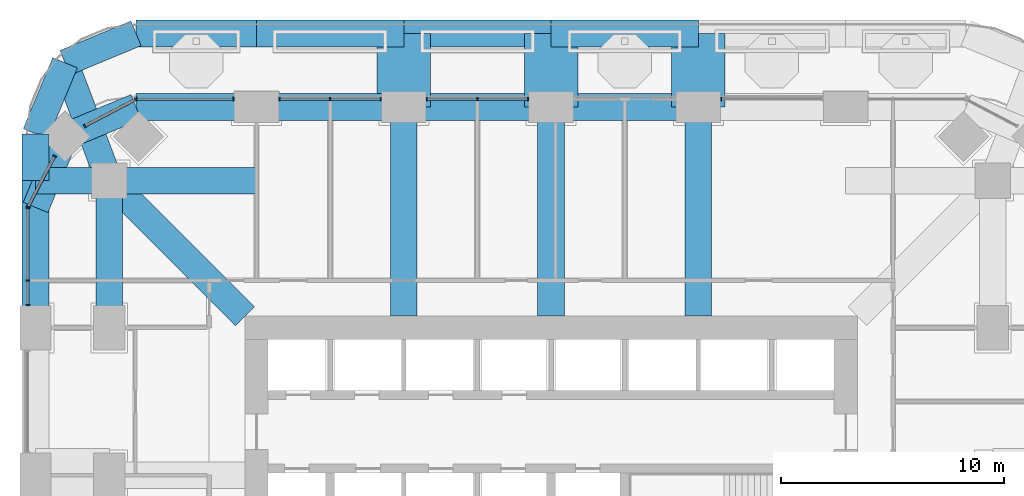
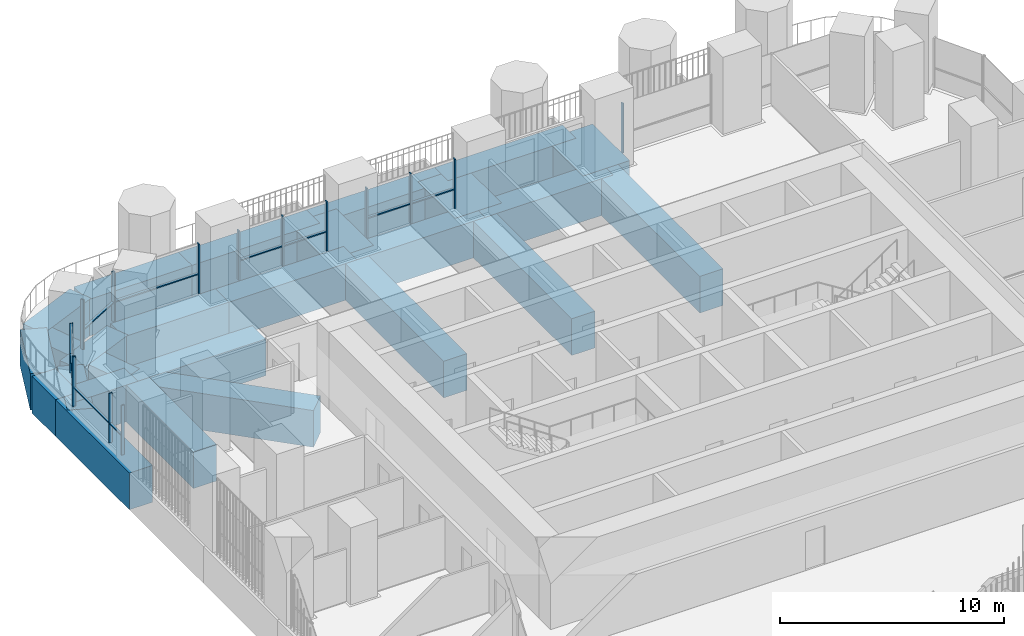
# One storey, part 6 of 22: 25 beams, 25 members, 7 elements without a shape of their own.
"""IFC4 building model written with IfcOpenShell, lengths in metres."""

from ifc_helpers import new_model, si_unit, direction, frame, origin, origin_2d, place, context, subcontext, project, spatial, rectangle, extrude, material, material_profile, profile_set, type_object, element, aggregate, save


model = new_model("IFC4")

# Units and contexts
model_context = context("Model", 3, precision=1e-05, world=origin(), true_north=direction((0.0, 1.0)))
body_context = subcontext(model_context, "Body", "Model", "MODEL_VIEW")
ifc_project = project(units=[si_unit("LENGTHUNIT", "METRE"), si_unit("AREAUNIT", "SQUARE_METRE"), si_unit("VOLUMEUNIT", "CUBIC_METRE"), si_unit("PLANEANGLEUNIT", "RADIAN"), si_unit("MASSUNIT", "GRAM", prefix="KILO")], contexts=[model_context])

# Site, building, storey
site_placement = place(None, origin())
site = spatial("IfcSite", under=ifc_project, at=site_placement, CompositionType="ELEMENT")
building_placement = place(site_placement, origin())
building = spatial("IfcBuilding", under=site, at=building_placement, Name="Cobogo Forest Laboratory Tower", CompositionType="ELEMENT")
storey_placement = place(building_placement, frame((0.0, 0.0, 155.699951171875)))
storey = spatial("IfcBuildingStorey", under=building, at=storey_placement, Name="L35", CompositionType="ELEMENT", Elevation=155.699951171875)

# Curtain wall, member
ifc_material_1 = material(Name="Aluminium curtain wall", Category="aluminium")
curtain_wall_type = type_object("IfcCurtainWallType", Name="CW-2 unitised curtain wall, solar control glazing, laboratory floors zones C and D", PredefinedType="USERDEFINED", material=ifc_material_1)
curtain_wall_1_placement = place(storey_placement, origin())
curtain_wall_1 = element("IfcCurtainWall", 1, at=curtain_wall_1_placement, inside=storey, type_object=curtain_wall_type, Name="Curtain wall 17 L35", ObjectType="UNITISED CURTAIN WALL", PredefinedType="USERDEFINED")
ifc_material_2 = material(Name="Aluminium mullion", Category="aluminium")
ifc_material_profile_1 = material_profile(ifc_material_2, rectangle(XDim=0.06005859375, YDim=0.159912109375, at=origin_2d()), Name="AL 60x160")
ifc_profile_set_1 = profile_set([ifc_material_profile_1], Name="Aluminium mullion")
member_type_1 = type_object("IfcMemberType", Name="MU-1 aluminium mullion 60x160", PredefinedType="MULLION", material=ifc_profile_set_1)
member_1_placement = place(storey_placement, frame((34.030029296875, 43.25, 0.0), z_axis=(0.0, 0.0, 1.0), x_axis=(-1.0, 0.0, 0.0)))
member_1 = element("IfcMember", 2, at=member_1_placement, type_object=member_type_1, Name="CW-2 mullion 2", PredefinedType="MULLION", context=body_context, shape_type="SweptSolid", body=[
    extrude(rectangle(XDim=0.06005859375, YDim=0.159912109375, at=origin_2d()), origin(), (0.0, 0.0, 1.0), 2.699951171875),
])
aggregate(curtain_wall_1, [member_1])

# Curtain wall, members
curtain_wall_2_placement = place(storey_placement, origin())
curtain_wall_2 = element("IfcCurtainWall", 3, at=curtain_wall_2_placement, inside=storey, type_object=curtain_wall_type, Name="Curtain wall 19 L35", ObjectType="UNITISED CURTAIN WALL", PredefinedType="USERDEFINED")
member_2_placement = place(storey_placement, frame((25.3701171875, 43.25, 0.0), z_axis=(0.0, 0.0, 1.0), x_axis=(-1.0, 0.0, 0.0)))
member_2 = element("IfcMember", 4, at=member_2_placement, type_object=member_type_1, Name="CW-2 mullion 1", PredefinedType="MULLION", context=body_context, shape_type="SweptSolid", body=[
    extrude(rectangle(XDim=0.06005859375, YDim=0.159912109375, at=origin_2d()), origin(), (0.0, 0.0, 1.0), 2.699951171875),
])
member_3_placement = place(storey_placement, frame((23.10009765625, 43.25, 0.0), z_axis=(0.0, 0.0, 1.0), x_axis=(-1.0, 0.0, 0.0)))
member_3 = element("IfcMember", 5, at=member_3_placement, type_object=member_type_1, Name="CW-2 mullion 2", PredefinedType="MULLION", context=body_context, shape_type="SweptSolid", body=[
    extrude(rectangle(XDim=0.06005859375, YDim=0.159912109375, at=origin_2d()), origin(), (0.0, 0.0, 1.0), 2.699951171875),
])
member_4_placement = place(storey_placement, frame((20.830078125, 43.25, 0.0), z_axis=(0.0, 0.0, 1.0), x_axis=(-1.0, 0.0, 0.0)))
member_4 = element("IfcMember", 6, at=member_4_placement, type_object=member_type_1, Name="CW-2 mullion 3", PredefinedType="MULLION", context=body_context, shape_type="SweptSolid", body=[
    extrude(rectangle(XDim=0.06005859375, YDim=0.159912109375, at=origin_2d()), origin(), (0.0, 0.0, 1.0), 2.699951171875),
])

curtain_wall_3_placement = place(storey_placement, origin())
curtain_wall_3 = element("IfcCurtainWall", 7, at=curtain_wall_3_placement, inside=storey, type_object=curtain_wall_type, Name="Curtain wall 20 L35", ObjectType="UNITISED CURTAIN WALL", PredefinedType="USERDEFINED")
member_5_placement = place(storey_placement, frame((18.77001953125, 43.25, 0.0), z_axis=(0.0, 0.0, 1.0), x_axis=(-1.0, 0.0, 0.0)))
member_5 = element("IfcMember", 8, at=member_5_placement, type_object=member_type_1, Name="CW-2 mullion 1", PredefinedType="MULLION", context=body_context, shape_type="SweptSolid", body=[
    extrude(rectangle(XDim=0.06005859375, YDim=0.159912109375, at=origin_2d()), origin(), (0.0, 0.0, 1.0), 2.699951171875),
])
member_6_placement = place(storey_placement, frame((16.5, 43.25, 0.0), z_axis=(0.0, 0.0, 1.0), x_axis=(-1.0, 0.0, 0.0)))
member_6 = element("IfcMember", 9, at=member_6_placement, type_object=member_type_1, Name="CW-2 mullion 2", PredefinedType="MULLION", context=body_context, shape_type="SweptSolid", body=[
    extrude(rectangle(XDim=0.06005859375, YDim=0.159912109375, at=origin_2d()), origin(), (0.0, 0.0, 1.0), 2.699951171875),
])
member_7_placement = place(storey_placement, frame((14.22998046875, 43.25, 0.0), z_axis=(0.0, 0.0, 1.0), x_axis=(-1.0, 0.0, 0.0)))
member_7 = element("IfcMember", 10, at=member_7_placement, type_object=member_type_1, Name="CW-2 mullion 3", PredefinedType="MULLION", context=body_context, shape_type="SweptSolid", body=[
    extrude(rectangle(XDim=0.06005859375, YDim=0.159912109375, at=origin_2d()), origin(), (0.0, 0.0, 1.0), 2.699951171875),
])

curtain_wall_4_placement = place(storey_placement, origin())
curtain_wall_4 = element("IfcCurtainWall", 11, at=curtain_wall_4_placement, inside=storey, type_object=curtain_wall_type, Name="Curtain wall 21 L35", ObjectType="UNITISED CURTAIN WALL", PredefinedType="USERDEFINED")
member_8_placement = place(storey_placement, frame((12.169921875, 43.25, 0.0), z_axis=(0.0, 0.0, 1.0), x_axis=(-1.0, 0.0, 0.0)))
member_8 = element("IfcMember", 12, at=member_8_placement, type_object=member_type_1, Name="CW-2 mullion 1", PredefinedType="MULLION", context=body_context, shape_type="SweptSolid", body=[
    extrude(rectangle(XDim=0.06005859375, YDim=0.159912109375, at=origin_2d()), origin(), (0.0, 0.0, 1.0), 2.699951171875),
])
member_9_placement = place(storey_placement, frame((7.830078125, 43.25, 0.0), z_axis=(0.0, 0.0, 1.0), x_axis=(-1.0, 0.0, 0.0)))
member_9 = element("IfcMember", 13, at=member_9_placement, type_object=member_type_1, Name="CW-2 mullion 2", PredefinedType="MULLION", context=body_context, shape_type="SweptSolid", body=[
    extrude(rectangle(XDim=0.06005859375, YDim=0.159912109375, at=origin_2d()), origin(), (0.0, 0.0, 1.0), 2.699951171875),
])

curtain_wall_5_placement = place(storey_placement, origin())
curtain_wall_5 = element("IfcCurtainWall", 14, at=curtain_wall_5_placement, inside=storey, type_object=curtain_wall_type, Name="Curtain wall 22 L35", ObjectType="UNITISED CURTAIN WALL", PredefinedType="USERDEFINED")
member_10_placement = place(storey_placement, frame((7.7734375, 43.236083984375, 0.0), z_axis=(0.0, 0.0, 1.0), x_axis=(-0.885686527085, -0.464283723321, 0.0)))
member_10 = element("IfcMember", 15, at=member_10_placement, type_object=member_type_1, Name="CW-2 mullion 1", PredefinedType="MULLION", context=body_context, shape_type="SweptSolid", body=[
    extrude(rectangle(XDim=0.06005859375, YDim=0.159912109375, at=origin_2d()), origin(), (0.0, 0.0, 1.0), 2.699951171875),
])
member_11_placement = place(storey_placement, frame((5.507568359375, 42.04833984375, 0.0), z_axis=(0.0, 0.0, 1.0), x_axis=(-0.885686527085, -0.464283723321, 0.0)))
member_11 = element("IfcMember", 16, at=member_11_placement, type_object=member_type_1, Name="CW-2 mullion 2", PredefinedType="MULLION", context=body_context, shape_type="SweptSolid", body=[
    extrude(rectangle(XDim=0.06005859375, YDim=0.159912109375, at=origin_2d()), origin(), (0.0, 0.0, 1.0), 2.699951171875),
])

curtain_wall_6_placement = place(storey_placement, origin())
curtain_wall_6 = element("IfcCurtainWall", 17, at=curtain_wall_6_placement, inside=storey, type_object=curtain_wall_type, Name="Curtain wall 23 L35", ObjectType="UNITISED CURTAIN WALL", PredefinedType="USERDEFINED")
member_12_placement = place(storey_placement, frame((4.15185546875, 40.692626953125, 0.0), z_axis=(0.0, 0.0, 1.0), x_axis=(-0.464283723321, -0.885686527085, 0.0)))
member_12 = element("IfcMember", 18, at=member_12_placement, type_object=member_type_1, Name="CW-2 mullion 1", PredefinedType="MULLION", context=body_context, shape_type="SweptSolid", body=[
    extrude(rectangle(XDim=0.06005859375, YDim=0.159912109375, at=origin_2d()), origin(), (0.0, 0.0, 1.0), 2.699951171875),
])
member_13_placement = place(storey_placement, frame((2.9638671875, 38.426513671875, 0.0), z_axis=(0.0, 0.0, 1.0), x_axis=(-0.464283723321, -0.885686527085, 0.0)))
member_13 = element("IfcMember", 19, at=member_13_placement, type_object=member_type_1, Name="CW-2 mullion 2", PredefinedType="MULLION", context=body_context, shape_type="SweptSolid", body=[
    extrude(rectangle(XDim=0.06005859375, YDim=0.159912109375, at=origin_2d()), origin(), (0.0, 0.0, 1.0), 2.699951171875),
])

curtain_wall_7_placement = place(storey_placement, origin())
curtain_wall_7 = element("IfcCurtainWall", 20, at=curtain_wall_7_placement, inside=storey, type_object=curtain_wall_type, Name="Curtain wall 24 L35", ObjectType="UNITISED CURTAIN WALL", PredefinedType="USERDEFINED")
member_14_placement = place(storey_placement, frame((2.949951171875, 38.3701171875, 0.0), z_axis=(0.0, 0.0, 1.0), x_axis=(0.0, -1.0, 0.0)))
member_14 = element("IfcMember", 21, at=member_14_placement, type_object=member_type_1, Name="CW-2 mullion 1", PredefinedType="MULLION", context=body_context, shape_type="SweptSolid", body=[
    extrude(rectangle(XDim=0.06005859375, YDim=0.159912109375, at=origin_2d()), origin(), (0.0, 0.0, 1.0), 2.699951171875),
])
member_15_placement = place(storey_placement, frame((2.949951171875, 35.125, 0.0), z_axis=(0.0, 0.0, 1.0), x_axis=(0.0, -1.0, 0.0)))
member_15 = element("IfcMember", 22, at=member_15_placement, type_object=member_type_1, Name="CW-2 mullion 2", PredefinedType="MULLION", context=body_context, shape_type="SweptSolid", body=[
    extrude(rectangle(XDim=0.06005859375, YDim=0.159912109375, at=origin_2d()), origin(), (0.0, 0.0, 1.0), 2.699951171875),
])
member_16_placement = place(storey_placement, frame((2.949951171875, 34.030029296875, 0.0), z_axis=(0.0, 0.0, 1.0), x_axis=(0.0, -1.0, 0.0)))
member_16 = element("IfcMember", 23, at=member_16_placement, type_object=member_type_1, Name="CW-2 mullion 3", PredefinedType="MULLION", context=body_context, shape_type="SweptSolid", body=[
    extrude(rectangle(XDim=0.06005859375, YDim=0.159912109375, at=origin_2d()), origin(), (0.0, 0.0, 1.0), 2.699951171875),
])

# Beams
ifc_material_3 = material(Name="Concrete HA-50 (C50/60)", Category="concrete")
ifc_material_profile_2 = material_profile(ifc_material_3, rectangle(XDim=2.39990234375, YDim=2.0, at=origin_2d()), Name="RC 2400x2000")
ifc_profile_set_2 = profile_set([ifc_material_profile_2], Name="Concrete HA-50 (C50/60)")
beam_type_1 = type_object("IfcBeamType", Name="Setback floor end-bay girder 2400x2000", PredefinedType="BEAM", material=ifc_profile_set_2)
for number, where, z_axis, x_axis, name in (
    (24, (19.800048828125, 46.199951171875, -1.300048828125), (0.0, -1.0, 0.0), (1.0, 0.0, 0.0), "TG3 R-4-N-X L35"),
    (25, (26.39990234375, 46.199951171875, -1.300048828125), (0.0, -1.0, 0.0), (1.0, 0.0, 0.0), "TG3 R-5-N-X L35"),
    (26, (33.0, 46.199951171875, -1.300048828125), (0.0, -1.0, 0.0), (1.0, 0.0, 0.0), "TG3 R-6-N-X L35"),
):
    element("IfcBeam", number, at=place(storey_placement, frame(where, z_axis=z_axis, x_axis=x_axis)), inside=storey, type_object=beam_type_1, Name=name, PredefinedType="BEAM", context=body_context, shape_type="SweptSolid", body=[
        extrude(rectangle(XDim=2.39990234375, YDim=2.0, at=origin_2d()), origin(), (0.0, 0.0, 1.0), 3.300048828125),
    ])
ifc_material_4 = material(Name="Concrete HA-40 (C40/50)", Category="concrete")
ifc_material_profile_3 = material_profile(ifc_material_4, rectangle(XDim=1.199951171875, YDim=2.0, at=origin_2d()), Name="RC 1200x2000")
ifc_profile_set_3 = profile_set([ifc_material_profile_3], Name="Concrete HA-40 (C40/50)")
beam_type_2 = type_object("IfcBeamType", Name="Setback floor girder 1200x2000", PredefinedType="BEAM", material=ifc_profile_set_3)
for number, where, z_axis, x_axis, name in (
    (27, (19.800048828125, 33.52490234375, -1.300048828125), (0.0, 1.0, 0.0), (-1.0, 0.0, 0.0), "TG2 R-4-N L35"),
    (28, (26.39990234375, 33.52490234375, -1.300048828125), (0.0, 1.0, 0.0), (-1.0, 0.0, 0.0), "TG2 R-5-N L35"),
    (29, (33.0, 33.52490234375, -1.300048828125), (0.0, 1.0, 0.0), (-1.0, 0.0, 0.0), "TG2 R-6-N L35"),
):
    element("IfcBeam", number, at=place(storey_placement, frame(where, z_axis=z_axis, x_axis=x_axis)), inside=storey, type_object=beam_type_2, Name=name, PredefinedType="BEAM", context=body_context, shape_type="SweptSolid", body=[
        extrude(rectangle(XDim=1.199951171875, YDim=2.0, at=origin_2d()), origin(), (0.0, 0.0, 1.0), 9.375),
    ])
beam_1_placement = place(storey_placement, frame((6.60009765625, 39.60009765625, -1.300048828125), z_axis=(0.0, -1.0, 0.0), x_axis=(1.0, 0.0, 0.0)))
element("IfcBeam", 30, at=beam_1_placement, inside=storey, type_object=beam_type_2, Name="TG2 G-NW-XC L35", PredefinedType="BEAM", context=body_context, shape_type="SweptSolid", body=[
    extrude(rectangle(XDim=1.199951171875, YDim=2.0, at=origin_2d()), origin(), (0.0, 0.0, 1.0), 6.60009765625),
])
beam_2_placement = place(storey_placement, frame((3.300048828125, 39.60009765625, -1.300048828125), z_axis=(1.0, 0.0, 0.0), x_axis=(0.0, 1.0, 0.0)))
element("IfcBeam", 31, at=beam_2_placement, inside=storey, type_object=beam_type_2, Name="TG2 G-NW-YF L35", PredefinedType="BEAM", context=body_context, shape_type="SweptSolid", body=[
    extrude(rectangle(XDim=1.199951171875, YDim=2.0, at=origin_2d()), origin(), (0.0, 0.0, 1.0), 3.300048828125),
])
beam_3_placement = place(storey_placement, frame((6.60009765625, 39.60009765625, -1.300048828125), z_axis=(1.0, 0.0, 0.0), x_axis=(0.0, 1.0, 0.0)))
element("IfcBeam", 32, at=beam_3_placement, inside=storey, type_object=beam_type_2, Name="TG2 G-NW-YC L35", PredefinedType="BEAM", context=body_context, shape_type="SweptSolid", body=[
    extrude(rectangle(XDim=1.199951171875, YDim=2.0, at=origin_2d()), origin(), (0.0, 0.0, 1.0), 6.599853515625),
])
beam_4_placement = place(storey_placement, frame((4.617919921875, 44.882080078125, -1.300048828125), z_axis=(0.351346325373, -0.936245565889, 0.0), x_axis=(0.936245565889, 0.351346325373, 0.0)))
element("IfcBeam", 33, at=beam_4_placement, inside=storey, type_object=beam_type_2, Name="TG2 G-NW-D1 L35", PredefinedType="BEAM", context=body_context, shape_type="SweptSolid", body=[
    extrude(rectangle(XDim=1.199951171875, YDim=2.0, at=origin_2d()), origin(), (0.0, 0.0, 1.0), 5.6416015625),
])
beam_5_placement = place(storey_placement, frame((6.60009765625, 39.60009765625, -1.300048828125), z_axis=(0.707092572697, -0.70712098939, 0.0), x_axis=(0.70712098939, 0.707092572697, 0.0)))
element("IfcBeam", 34, at=beam_5_placement, inside=storey, type_object=beam_type_2, Name="TG2 G-NW-D2 L35", PredefinedType="BEAM", context=body_context, shape_type="SweptSolid", body=[
    extrude(rectangle(XDim=1.199951171875, YDim=2.0, at=origin_2d()), origin(), (0.0, 0.0, 1.0), 8.591552734375),
])
beam_6_placement = place(storey_placement, frame((13.199951171875, 46.199951171875, -1.300048828125), z_axis=(1.0, 0.0, 0.0), x_axis=(0.0, 1.0, 0.0)))
element("IfcBeam", 35, at=beam_6_placement, inside=storey, type_object=beam_type_2, Name="TG2 E-N1 L35", PredefinedType="BEAM", context=body_context, shape_type="SweptSolid", body=[
    extrude(rectangle(XDim=1.199951171875, YDim=2.0, at=origin_2d()), origin(), (0.0, 0.0, 1.0), 6.60009765625),
])
beam_7_placement = place(storey_placement, frame((19.800048828125, 46.199951171875, -1.300048828125), z_axis=(1.0, 0.0, 0.0), x_axis=(0.0, 1.0, 0.0)))
element("IfcBeam", 36, at=beam_7_placement, inside=storey, type_object=beam_type_2, Name="TG2 E-N2 L35", PredefinedType="BEAM", context=body_context, shape_type="SweptSolid", body=[
    extrude(rectangle(XDim=1.199951171875, YDim=2.0, at=origin_2d()), origin(), (0.0, 0.0, 1.0), 6.599853515625),
])
for number, where, z_axis, x_axis, name in (
    (37, (26.39990234375, 46.199951171875, -1.300048828125), (1.0, 0.0, 0.0), (0.0, 1.0, 0.0), "TG2 E-N3 L35"),
    (38, (3.300048828125, 33.0, -1.300048828125), (0.0, 1.0, 0.0), (-1.0, 0.0, 0.0), "TG2 E-W5 L35"),
):
    element("IfcBeam", number, at=place(storey_placement, frame(where, z_axis=z_axis, x_axis=x_axis)), inside=storey, type_object=beam_type_2, Name=name, PredefinedType="BEAM", context=body_context, shape_type="SweptSolid", body=[
        extrude(rectangle(XDim=1.199951171875, YDim=2.0, at=origin_2d()), origin(), (0.0, 0.0, 1.0), 6.60009765625),
    ])
beam_8_placement = place(storey_placement, frame((13.199951171875, 46.199951171875, -1.300048828125), z_axis=(-1.0, 0.0, 0.0), x_axis=(0.0, -1.0, 0.0)))
element("IfcBeam", 39, at=beam_8_placement, inside=storey, type_object=beam_type_2, Name="TG2 E-NWN1 L35", PredefinedType="BEAM", context=body_context, shape_type="SweptSolid", body=[
    extrude(rectangle(XDim=1.199951171875, YDim=2.0, at=origin_2d()), origin(), (0.0, 0.0, 1.0), 5.39990234375),
])
beam_9_placement = place(storey_placement, frame((7.800048828125, 46.199951171875, -1.300048828125), z_axis=(-0.923901072997, -0.382631424892, 0.0), x_axis=(0.382631424892, -0.923901072997, 0.0)))
element("IfcBeam", 40, at=beam_9_placement, inside=storey, type_object=beam_type_2, Name="TG2 E-NWN2 L35", PredefinedType="BEAM", context=body_context, shape_type="SweptSolid", body=[
    extrude(rectangle(XDim=1.199951171875, YDim=2.0, at=origin_2d()), origin(), (0.0, 0.0, 1.0), 3.4443359375),
])
beam_10_placement = place(storey_placement, frame((3.300048828125, 39.60009765625, -1.300048828125), z_axis=(0.0, 1.0, 0.0), x_axis=(-1.0, 0.0, 0.0)))
element("IfcBeam", 41, at=beam_10_placement, inside=storey, type_object=beam_type_2, Name="TG2 E-NWW1 L35", PredefinedType="BEAM", context=body_context, shape_type="SweptSolid", body=[
    extrude(rectangle(XDim=1.199951171875, YDim=2.0, at=origin_2d()), origin(), (0.0, 0.0, 1.0), 2.099853515625),
])
beam_11_placement = place(storey_placement, frame((3.300048828125, 41.699951171875, -1.300048828125), z_axis=(0.382631424892, 0.923901072997, 0.0), x_axis=(-0.923901072997, 0.382631424892, 0.0)))
element("IfcBeam", 42, at=beam_11_placement, inside=storey, type_object=beam_type_2, Name="TG2 E-NWW2 L35", PredefinedType="BEAM", context=body_context, shape_type="SweptSolid", body=[
    extrude(rectangle(XDim=1.199951171875, YDim=2.0, at=origin_2d()), origin(), (0.0, 0.0, 1.0), 3.4443359375),
])
beam_12_placement = place(storey_placement, frame((13.199951171875, 42.89990234375, -1.300048828125), z_axis=(1.0, 0.0, 0.0), x_axis=(0.0, 1.0, 0.0)))
element("IfcBeam", 43, at=beam_12_placement, inside=storey, type_object=beam_type_2, Name="TG2 UE-N1 L35", PredefinedType="BEAM", context=body_context, shape_type="SweptSolid", body=[
    extrude(rectangle(XDim=1.199951171875, YDim=2.0, at=origin_2d()), origin(), (0.0, 0.0, 1.0), 6.60009765625),
])
beam_13_placement = place(storey_placement, frame((19.800048828125, 42.89990234375, -1.300048828125), z_axis=(1.0, 0.0, 0.0), x_axis=(0.0, 1.0, 0.0)))
element("IfcBeam", 44, at=beam_13_placement, inside=storey, type_object=beam_type_2, Name="TG2 UE-N2 L35", PredefinedType="BEAM", context=body_context, shape_type="SweptSolid", body=[
    extrude(rectangle(XDim=1.199951171875, YDim=2.0, at=origin_2d()), origin(), (0.0, 0.0, 1.0), 6.599853515625),
])
beam_14_placement = place(storey_placement, frame((26.39990234375, 42.89990234375, -1.300048828125), z_axis=(1.0, 0.0, 0.0), x_axis=(0.0, 1.0, 0.0)))
element("IfcBeam", 45, at=beam_14_placement, inside=storey, type_object=beam_type_2, Name="TG2 UE-N3 L35", PredefinedType="BEAM", context=body_context, shape_type="SweptSolid", body=[
    extrude(rectangle(XDim=1.199951171875, YDim=2.0, at=origin_2d()), origin(), (0.0, 0.0, 1.0), 6.60009765625),
])
beam_15_placement = place(storey_placement, frame((13.199951171875, 42.89990234375, -1.300048828125), z_axis=(-1.0, 0.0, 0.0), x_axis=(0.0, -1.0, 0.0)))
element("IfcBeam", 46, at=beam_15_placement, inside=storey, type_object=beam_type_2, Name="TG2 UE-NWN1 L35", PredefinedType="BEAM", context=body_context, shape_type="SweptSolid", body=[
    extrude(rectangle(XDim=1.199951171875, YDim=2.0, at=origin_2d()), origin(), (0.0, 0.0, 1.0), 5.39990234375),
])
for number, where, z_axis, x_axis, name in (
    (47, (7.800048828125, 42.89990234375, -1.300048828125), (-0.923901072997, -0.382631424892, 0.0), (0.382631424892, -0.923901072997, 0.0), "TG2 UE-NWN2 L35"),
    (48, (3.300048828125, 38.39990234375, -1.300048828125), (0.382631424892, 0.923901072997, 0.0), (-0.923901072997, 0.382631424892, 0.0), "TG2 UE-NWW2 L35"),
):
    element("IfcBeam", number, at=place(storey_placement, frame(where, z_axis=z_axis, x_axis=x_axis)), inside=storey, type_object=beam_type_2, Name=name, PredefinedType="BEAM", context=body_context, shape_type="SweptSolid", body=[
        extrude(rectangle(XDim=1.199951171875, YDim=2.0, at=origin_2d()), origin(), (0.0, 0.0, 1.0), 3.4443359375),
    ])

# Member
ifc_material_5 = material(Name="Aluminium transom", Category="aluminium")
ifc_material_profile_4 = material_profile(ifc_material_5, rectangle(XDim=0.1201171875, YDim=0.06005859375, at=origin_2d()), Name="AL 60x120")
ifc_profile_set_4 = profile_set([ifc_material_profile_4], Name="Aluminium transom")
member_type_2 = type_object("IfcMemberType", Name="TR-1 aluminium transom 60x120", PredefinedType="USERDEFINED", material=ifc_profile_set_4)
member_17_placement = place(storey_placement, frame((25.340087890625, 43.25, 1.050048828125), z_axis=(-1.0, 0.0, 0.0), x_axis=(0.0, -1.0, 0.0)))
member_17 = element("IfcMember", 49, at=member_17_placement, type_object=member_type_2, Name="CW-2 transom 1.1", ObjectType="TRANSOM", PredefinedType="USERDEFINED", context=body_context, shape_type="SweptSolid", body=[
    extrude(rectangle(XDim=0.1201171875, YDim=0.06005859375, at=origin_2d()), origin(), (0.0, 0.0, 1.0), 2.210205078125),
])

member_18_placement = place(storey_placement, frame((23.070068359375, 43.25, 1.050048828125), z_axis=(-1.0, 0.0, 0.0), x_axis=(0.0, -1.0, 0.0)))
member_18 = element("IfcMember", 50, at=member_18_placement, type_object=member_type_2, Name="CW-2 transom 2.1", ObjectType="TRANSOM", PredefinedType="USERDEFINED", context=body_context, shape_type="SweptSolid", body=[
    extrude(rectangle(XDim=0.1201171875, YDim=0.06005859375, at=origin_2d()), origin(), (0.0, 0.0, 1.0), 2.2099609375),
])

aggregate(curtain_wall_2, [member_2, member_3, member_4, member_17, member_18])

member_19_placement = place(storey_placement, frame((18.739990234375, 43.25, 1.050048828125), z_axis=(-1.0, 0.0, 0.0), x_axis=(0.0, -1.0, 0.0)))
member_19 = element("IfcMember", 51, at=member_19_placement, type_object=member_type_2, Name="CW-2 transom 1.1", ObjectType="TRANSOM", PredefinedType="USERDEFINED", context=body_context, shape_type="SweptSolid", body=[
    extrude(rectangle(XDim=0.1201171875, YDim=0.06005859375, at=origin_2d()), origin(), (0.0, 0.0, 1.0), 2.2099609375),
])

member_20_placement = place(storey_placement, frame((16.469970703125, 43.25, 1.050048828125), z_axis=(-1.0, 0.0, 0.0), x_axis=(0.0, -1.0, 0.0)))
member_20 = element("IfcMember", 52, at=member_20_placement, type_object=member_type_2, Name="CW-2 transom 2.1", ObjectType="TRANSOM", PredefinedType="USERDEFINED", context=body_context, shape_type="SweptSolid", body=[
    extrude(rectangle(XDim=0.1201171875, YDim=0.06005859375, at=origin_2d()), origin(), (0.0, 0.0, 1.0), 2.2099609375),
])

aggregate(curtain_wall_3, [member_5, member_6, member_7, member_19, member_20])

member_21_placement = place(storey_placement, frame((12.139892578125, 43.25, 1.050048828125), z_axis=(-1.0, 0.0, 0.0), x_axis=(0.0, -1.0, 0.0)))
member_21 = element("IfcMember", 53, at=member_21_placement, type_object=member_type_2, Name="CW-2 transom 1.1", ObjectType="TRANSOM", PredefinedType="USERDEFINED", context=body_context, shape_type="SweptSolid", body=[
    extrude(rectangle(XDim=0.1201171875, YDim=0.06005859375, at=origin_2d()), origin(), (0.0, 0.0, 1.0), 4.27978515625),
])

aggregate(curtain_wall_4, [member_8, member_9, member_21])

member_22_placement = place(storey_placement, frame((7.746826171875, 43.22216796875, 1.050048828125), z_axis=(-0.885703357119, -0.464251616248, 0.0), x_axis=(0.464251616248, -0.885703357119, 0.0)))
member_22 = element("IfcMember", 54, at=member_22_placement, type_object=member_type_2, Name="CW-2 transom 1.1", ObjectType="TRANSOM", PredefinedType="USERDEFINED", context=body_context, shape_type="SweptSolid", body=[
    extrude(rectangle(XDim=0.1201171875, YDim=0.06005859375, at=origin_2d()), origin(), (0.0, 0.0, 1.0), 2.49853515625),
])

aggregate(curtain_wall_5, [member_10, member_11, member_22])

member_23_placement = place(storey_placement, frame((4.137939453125, 40.666015625, 1.050048828125), z_axis=(-0.464328266824, -0.885663175608, 0.0), x_axis=(0.885663175608, -0.464328266824, 0.0)))
member_23 = element("IfcMember", 55, at=member_23_placement, type_object=member_type_2, Name="CW-2 transom 1.1", ObjectType="TRANSOM", PredefinedType="USERDEFINED", context=body_context, shape_type="SweptSolid", body=[
    extrude(rectangle(XDim=0.1201171875, YDim=0.06005859375, at=origin_2d()), origin(), (0.0, 0.0, 1.0), 2.49853515625),
])

aggregate(curtain_wall_6, [member_12, member_13, member_23])

member_24_placement = place(storey_placement, frame((2.949951171875, 38.340087890625, 1.050048828125), z_axis=(0.0, -1.0, 0.0), x_axis=(1.0, 0.0, 0.0)))
member_24 = element("IfcMember", 56, at=member_24_placement, type_object=member_type_2, Name="CW-2 transom 1.1", ObjectType="TRANSOM", PredefinedType="USERDEFINED", context=body_context, shape_type="SweptSolid", body=[
    extrude(rectangle(XDim=0.1201171875, YDim=0.06005859375, at=origin_2d()), origin(), (0.0, 0.0, 1.0), 3.18505859375),
])

member_25_placement = place(storey_placement, frame((2.949951171875, 35.094970703125, 1.050048828125), z_axis=(0.0, -1.0, 0.0), x_axis=(1.0, 0.0, 0.0)))
member_25 = element("IfcMember", 57, at=member_25_placement, type_object=member_type_2, Name="CW-2 transom 2.1", ObjectType="TRANSOM", PredefinedType="USERDEFINED", context=body_context, shape_type="SweptSolid", body=[
    extrude(rectangle(XDim=0.1201171875, YDim=0.06005859375, at=origin_2d()), origin(), (0.0, 0.0, 1.0), 1.034912109375),
])

aggregate(curtain_wall_7, [member_14, member_15, member_16, member_24, member_25])

save(model, "model.ifc")
